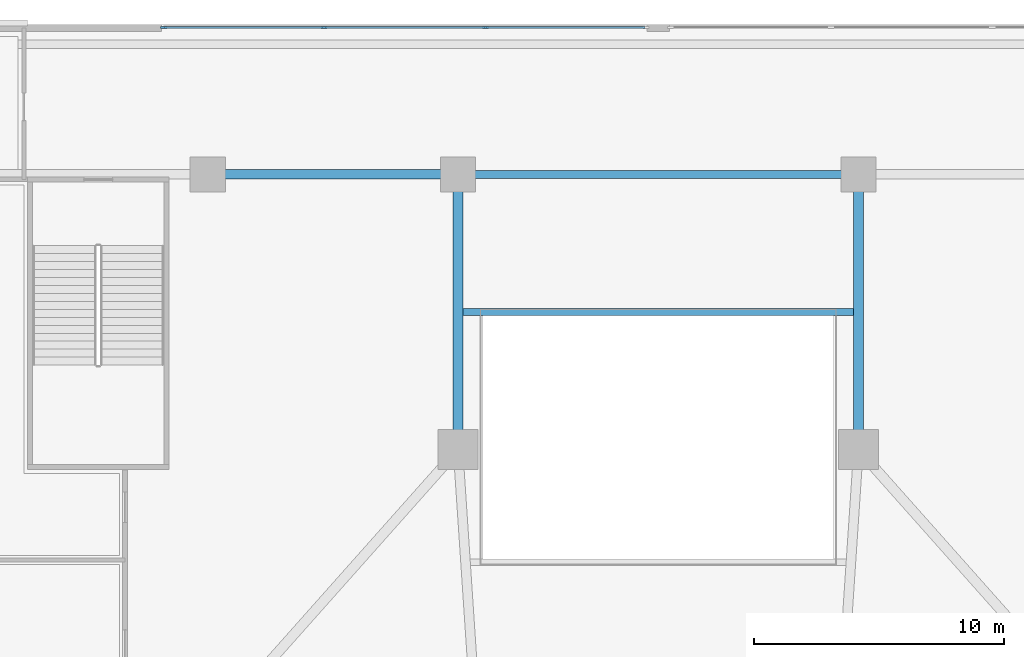
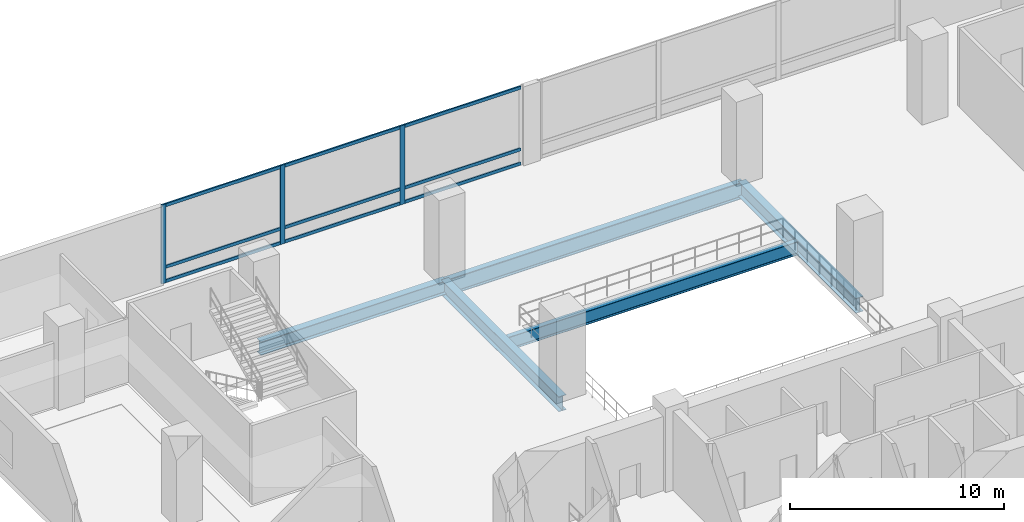
# One storey, part 2 of 15: 12 members, 5 beams, 1 element without a shape of its own.
"""IFC4 building model written with IfcOpenShell, lengths in metres."""

from ifc_helpers import new_model, si_unit, direction, frame, origin, origin_2d, place, context, subcontext, project, spatial, rectangle, i_section, extrude, material, material_profile, profile_set, type_object, element, aggregate, save


model = new_model("IFC4")

# Units and contexts
model_context = context("Model", 3, precision=1e-05, world=origin(), true_north=direction((0.0, 1.0)))
body_context = subcontext(model_context, "Body", "Model", "MODEL_VIEW")
ifc_project = project(units=[si_unit("LENGTHUNIT", "METRE"), si_unit("AREAUNIT", "SQUARE_METRE"), si_unit("VOLUMEUNIT", "CUBIC_METRE"), si_unit("PLANEANGLEUNIT", "RADIAN"), si_unit("MASSUNIT", "GRAM", prefix="KILO")], contexts=[model_context])

# Site, building, storey
site_placement = place(None, origin())
site = spatial("IfcSite", under=ifc_project, at=site_placement, CompositionType="ELEMENT")
building_placement = place(site_placement, origin())
building = spatial("IfcBuilding", under=site, at=building_placement, Name="Solmavex Isthmus Hotel", CompositionType="ELEMENT")
storey_placement = place(building_placement, frame((0.0, 0.0, 11.39990234375)))
storey = spatial("IfcBuildingStorey", under=building, at=storey_placement, Name="L03", CompositionType="ELEMENT", Elevation=11.39990234375)

# Beams
ifc_material_1 = material(Name="Steel ASTM A992 Grade 50", Category="steel")
ifc_material_profile_1 = material_profile(ifc_material_1, i_section(OverallWidth=0.2666015625, OverallDepth=0.76220703125, WebThickness=0.014404296875, FlangeThickness=0.021484375, FilletRadius=0.01904296875, at=origin_2d()), Name="W30X116")
ifc_profile_set_1 = profile_set([ifc_material_profile_1], Name="Steel ASTM A992 Grade 50")
beam_type_1 = type_object("IfcBeamType", Name="BM-BG-W30X116", PredefinedType="BEAM", material=ifc_profile_set_1)
beam_1_placement = place(storey_placement, frame((-7.81005859375, 12.0, -0.68115234375), z_axis=(1.0, 0.0, 0.0), x_axis=(0.0, 1.0, 0.0)))
element("IfcBeam", 1, at=beam_1_placement, inside=storey, type_object=beam_type_1, Name="Atrium Trimmer Girder L03-AT2", PredefinedType="BEAM", context=body_context, shape_type="SweptSolid", body=[
    extrude(i_section(OverallWidth=0.2666015625, OverallDepth=0.76220703125, WebThickness=0.014404296875, FlangeThickness=0.021484375, FilletRadius=0.01904296875, at=origin_2d()), origin(), (0.0, 0.0, 1.0), 15.6201171875),
])
ifc_material_profile_2 = material_profile(ifc_material_1, i_section(OverallWidth=0.380615234375, OverallDepth=0.773193359375, WebThickness=0.0166015625, FlangeThickness=0.027099609375, FilletRadius=0.01904296875, at=origin_2d()), Name="W30X173")
ifc_profile_set_2 = profile_set([ifc_material_profile_2], Name="Steel ASTM A992 Grade 50")
beam_type_2 = type_object("IfcBeamType", Name="BM-BG-W30X173", PredefinedType="BEAM", material=ifc_profile_set_2)
beam_2_placement = place(storey_placement, frame((-18.0, 17.5, -0.6865234375), z_axis=(1.0, 0.0, 0.0), x_axis=(0.0, 1.0, 0.0)))
element("IfcBeam", 2, at=beam_2_placement, inside=storey, type_object=beam_type_2, Name="Podium Primary Girder L03-G08", PredefinedType="BEAM", context=body_context, shape_type="SweptSolid", body=[
    extrude(i_section(OverallWidth=0.380615234375, OverallDepth=0.773193359375, WebThickness=0.0166015625, FlangeThickness=0.027099609375, FilletRadius=0.01904296875, at=origin_2d()), origin(), (0.0, 0.0, 1.0), 10.0),
])
ifc_material_profile_3 = material_profile(ifc_material_1, i_section(OverallWidth=0.39990234375, OverallDepth=0.85546875, WebThickness=0.018310546875, FlangeThickness=0.029296875, FilletRadius=0.020263671875, at=origin_2d()), Name="W33X201")
ifc_profile_set_3 = profile_set([ifc_material_profile_3], Name="Steel ASTM A992 Grade 50")
beam_type_3 = type_object("IfcBeamType", Name="BM-BG-W33X201", PredefinedType="BEAM", material=ifc_profile_set_3)
for number, where, z_axis, x_axis, name in (
    (3, (-8.0, 6.5, -0.7275390625), (0.0, 1.0, 0.0), (-1.0, 0.0, 0.0), "Podium Primary Girder L03-G29"),
    (4, (8.0, 6.5, -0.7275390625), (0.0, 1.0, 0.0), (-1.0, 0.0, 0.0), "Podium Primary Girder L03-G30"),
):
    element("IfcBeam", number, at=place(storey_placement, frame(where, z_axis=z_axis, x_axis=x_axis)), inside=storey, type_object=beam_type_3, Name=name, PredefinedType="BEAM", context=body_context, shape_type="SweptSolid", body=[
        extrude(i_section(OverallWidth=0.39990234375, OverallDepth=0.85546875, WebThickness=0.018310546875, FlangeThickness=0.029296875, FilletRadius=0.020263671875, at=origin_2d()), origin(), (0.0, 0.0, 1.0), 11.0),
    ])
ifc_material_profile_4 = material_profile(ifc_material_1, i_section(OverallWidth=0.307861328125, OverallDepth=0.94287109375, WebThickness=0.022216796875, FlangeThickness=0.039794921875, FilletRadius=0.024169921875, at=origin_2d()), Name="W36X232")
ifc_profile_set_4 = profile_set([ifc_material_profile_4], Name="Steel ASTM A992 Grade 50")
beam_type_4 = type_object("IfcBeamType", Name="BM-BG-W36X232", PredefinedType="BEAM", material=ifc_profile_set_4)
beam_3_placement = place(storey_placement, frame((-8.0, 17.5, -0.771240234375), z_axis=(1.0, 0.0, 0.0), x_axis=(0.0, 1.0, 0.0)))
element("IfcBeam", 5, at=beam_3_placement, inside=storey, type_object=beam_type_4, Name="Podium Primary Girder L03-G09", PredefinedType="BEAM", context=body_context, shape_type="SweptSolid", body=[
    extrude(i_section(OverallWidth=0.307861328125, OverallDepth=0.94287109375, WebThickness=0.022216796875, FlangeThickness=0.039794921875, FilletRadius=0.024169921875, at=origin_2d()), origin(), (0.0, 0.0, 1.0), 16.0),
])

# Curtain wall, members
ifc_material_2 = material(Name="Aluminium alloy 6063-T6", Category="aluminium")
curtain_wall_type = type_object("IfcCurtainWallType", Name="CW-SYS-01", PredefinedType="NOTDEFINED", material=ifc_material_2)
curtain_wall_placement = place(storey_placement, origin())
curtain_wall = element("IfcCurtainWall", 6, at=curtain_wall_placement, inside=storey, type_object=curtain_wall_type, Name="Stick Curtain Wall CWL-L03-NW", PredefinedType="NOTDEFINED")
ifc_material_profile_5 = material_profile(ifc_material_2, rectangle(XDim=0.080078125, YDim=0.25, at=origin_2d()), Name="CWM-80X250")
ifc_profile_set_5 = profile_set([ifc_material_profile_5], Name="Aluminium alloy 6063-T6")
member_type_1 = type_object("IfcMemberType", Name="CW-SYS-01-MUL", PredefinedType="MULLION", material=ifc_profile_set_5)
member_1_placement = place(storey_placement, frame((-19.760009765625, 23.3798828125, 0.0), z_axis=(0.0, 0.0, 1.0), x_axis=(0.0, 1.0, 0.0)))
member_1 = element("IfcMember", 7, at=member_1_placement, type_object=member_type_1, Name="CW-01 mullion 1", PredefinedType="MULLION", context=body_context, shape_type="SweptSolid", body=[
    extrude(rectangle(XDim=0.080078125, YDim=0.25, at=origin_2d()), origin(), (0.0, 0.0, 1.0), 4.5),
])
member_2_placement = place(storey_placement, frame((-13.35009765625, 23.3798828125, 0.0), z_axis=(0.0, 0.0, 1.0), x_axis=(0.0, 1.0, 0.0)))
member_2 = element("IfcMember", 8, at=member_2_placement, type_object=member_type_1, Name="CW-01 mullion 2", PredefinedType="MULLION", context=body_context, shape_type="SweptSolid", body=[
    extrude(rectangle(XDim=0.080078125, YDim=0.25, at=origin_2d()), origin(), (0.0, 0.0, 1.0), 4.5),
])
member_3_placement = place(storey_placement, frame((-6.89990234375, 23.3798828125, 0.0), z_axis=(0.0, 0.0, 1.0), x_axis=(0.0, 1.0, 0.0)))
member_3 = element("IfcMember", 9, at=member_3_placement, type_object=member_type_1, Name="CW-01 mullion 3", PredefinedType="MULLION", context=body_context, shape_type="SweptSolid", body=[
    extrude(rectangle(XDim=0.080078125, YDim=0.25, at=origin_2d()), origin(), (0.0, 0.0, 1.0), 4.5),
])
ifc_material_profile_6 = material_profile(ifc_material_2, rectangle(XDim=0.080078125, YDim=0.179931640625, at=origin_2d()), Name="CWT-80X180")
ifc_profile_set_6 = profile_set([ifc_material_profile_6], Name="Aluminium alloy 6063-T6")
member_type_2 = type_object("IfcMemberType", Name="CW-SYS-01-TRN", PredefinedType="USERDEFINED", material=ifc_profile_set_6)
member_4_placement = place(storey_placement, frame((-19.719970703125, 23.3798828125, 0.090087890625), z_axis=(1.0, 0.0, 0.0), x_axis=(0.0, 1.0, 0.0)))
member_4 = element("IfcMember", 10, at=member_4_placement, type_object=member_type_2, Name="CW-01 transom 1.1", ObjectType="TRANSOM", PredefinedType="USERDEFINED", context=body_context, shape_type="SweptSolid", body=[
    extrude(rectangle(XDim=0.080078125, YDim=0.179931640625, at=origin_2d()), origin(), (0.0, 0.0, 1.0), 6.330078125),
])
member_5_placement = place(storey_placement, frame((-19.719970703125, 23.3798828125, 0.900146484375), z_axis=(1.0, 0.0, 0.0), x_axis=(0.0, 1.0, 0.0)))
member_5 = element("IfcMember", 11, at=member_5_placement, type_object=member_type_2, Name="CW-01 transom 1.2", ObjectType="TRANSOM", PredefinedType="USERDEFINED", context=body_context, shape_type="SweptSolid", body=[
    extrude(rectangle(XDim=0.080078125, YDim=0.179931640625, at=origin_2d()), origin(), (0.0, 0.0, 1.0), 6.330078125),
])
member_6_placement = place(storey_placement, frame((-19.719970703125, 23.3798828125, 4.41015625), z_axis=(1.0, 0.0, 0.0), x_axis=(0.0, 1.0, 0.0)))
member_6 = element("IfcMember", 12, at=member_6_placement, type_object=member_type_2, Name="CW-01 transom 1.3", ObjectType="TRANSOM", PredefinedType="USERDEFINED", context=body_context, shape_type="SweptSolid", body=[
    extrude(rectangle(XDim=0.080078125, YDim=0.179931640625, at=origin_2d()), origin(), (0.0, 0.0, 1.0), 6.330078125),
])
member_7_placement = place(storey_placement, frame((-13.31005859375, 23.3798828125, 0.090087890625), z_axis=(1.0, 0.0, 0.0), x_axis=(0.0, 1.0, 0.0)))
member_7 = element("IfcMember", 13, at=member_7_placement, type_object=member_type_2, Name="CW-01 transom 2.1", ObjectType="TRANSOM", PredefinedType="USERDEFINED", context=body_context, shape_type="SweptSolid", body=[
    extrude(rectangle(XDim=0.080078125, YDim=0.179931640625, at=origin_2d()), origin(), (0.0, 0.0, 1.0), 6.3701171875),
])
member_8_placement = place(storey_placement, frame((-13.31005859375, 23.3798828125, 0.900146484375), z_axis=(1.0, 0.0, 0.0), x_axis=(0.0, 1.0, 0.0)))
member_8 = element("IfcMember", 14, at=member_8_placement, type_object=member_type_2, Name="CW-01 transom 2.2", ObjectType="TRANSOM", PredefinedType="USERDEFINED", context=body_context, shape_type="SweptSolid", body=[
    extrude(rectangle(XDim=0.080078125, YDim=0.179931640625, at=origin_2d()), origin(), (0.0, 0.0, 1.0), 6.3701171875),
])
member_9_placement = place(storey_placement, frame((-13.31005859375, 23.3798828125, 4.41015625), z_axis=(1.0, 0.0, 0.0), x_axis=(0.0, 1.0, 0.0)))
member_9 = element("IfcMember", 15, at=member_9_placement, type_object=member_type_2, Name="CW-01 transom 2.3", ObjectType="TRANSOM", PredefinedType="USERDEFINED", context=body_context, shape_type="SweptSolid", body=[
    extrude(rectangle(XDim=0.080078125, YDim=0.179931640625, at=origin_2d()), origin(), (0.0, 0.0, 1.0), 6.3701171875),
])
member_10_placement = place(storey_placement, frame((-6.860107421875, 23.3798828125, 0.090087890625), z_axis=(1.0, 0.0, 0.0), x_axis=(0.0, 1.0, 0.0)))
member_10 = element("IfcMember", 16, at=member_10_placement, type_object=member_type_2, Name="CW-01 transom 3.1", ObjectType="TRANSOM", PredefinedType="USERDEFINED", context=body_context, shape_type="SweptSolid", body=[
    extrude(rectangle(XDim=0.080078125, YDim=0.179931640625, at=origin_2d()), origin(), (0.0, 0.0, 1.0), 6.330078125),
])
member_11_placement = place(storey_placement, frame((-6.860107421875, 23.3798828125, 0.900146484375), z_axis=(1.0, 0.0, 0.0), x_axis=(0.0, 1.0, 0.0)))
member_11 = element("IfcMember", 17, at=member_11_placement, type_object=member_type_2, Name="CW-01 transom 3.2", ObjectType="TRANSOM", PredefinedType="USERDEFINED", context=body_context, shape_type="SweptSolid", body=[
    extrude(rectangle(XDim=0.080078125, YDim=0.179931640625, at=origin_2d()), origin(), (0.0, 0.0, 1.0), 6.330078125),
])
member_12_placement = place(storey_placement, frame((-6.860107421875, 23.3798828125, 4.41015625), z_axis=(1.0, 0.0, 0.0), x_axis=(0.0, 1.0, 0.0)))
member_12 = element("IfcMember", 18, at=member_12_placement, type_object=member_type_2, Name="CW-01 transom 3.3", ObjectType="TRANSOM", PredefinedType="USERDEFINED", context=body_context, shape_type="SweptSolid", body=[
    extrude(rectangle(XDim=0.080078125, YDim=0.179931640625, at=origin_2d()), origin(), (0.0, 0.0, 1.0), 6.330078125),
])
aggregate(curtain_wall, [member_1, member_2, member_3, member_4, member_5, member_6, member_7, member_8, member_9, member_10, member_11, member_12])

save(model, "model.ifc")
